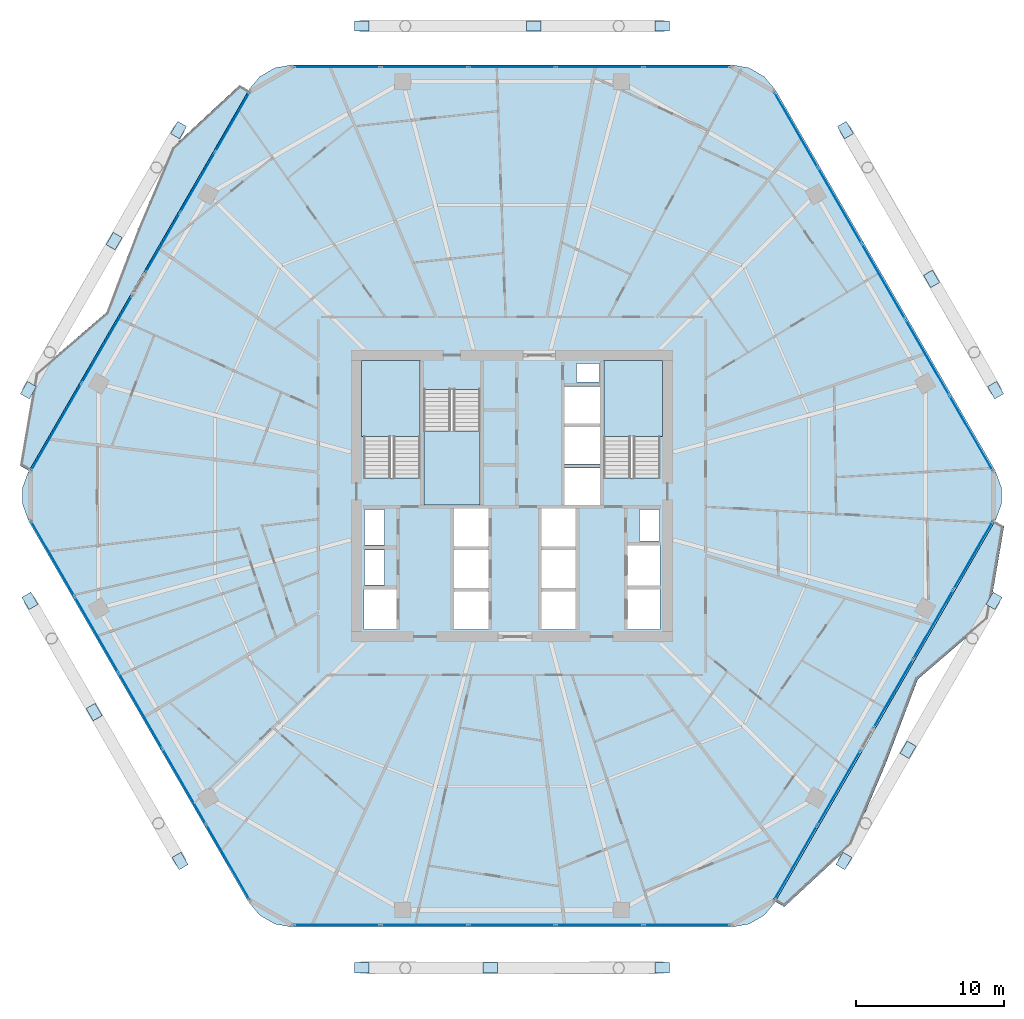
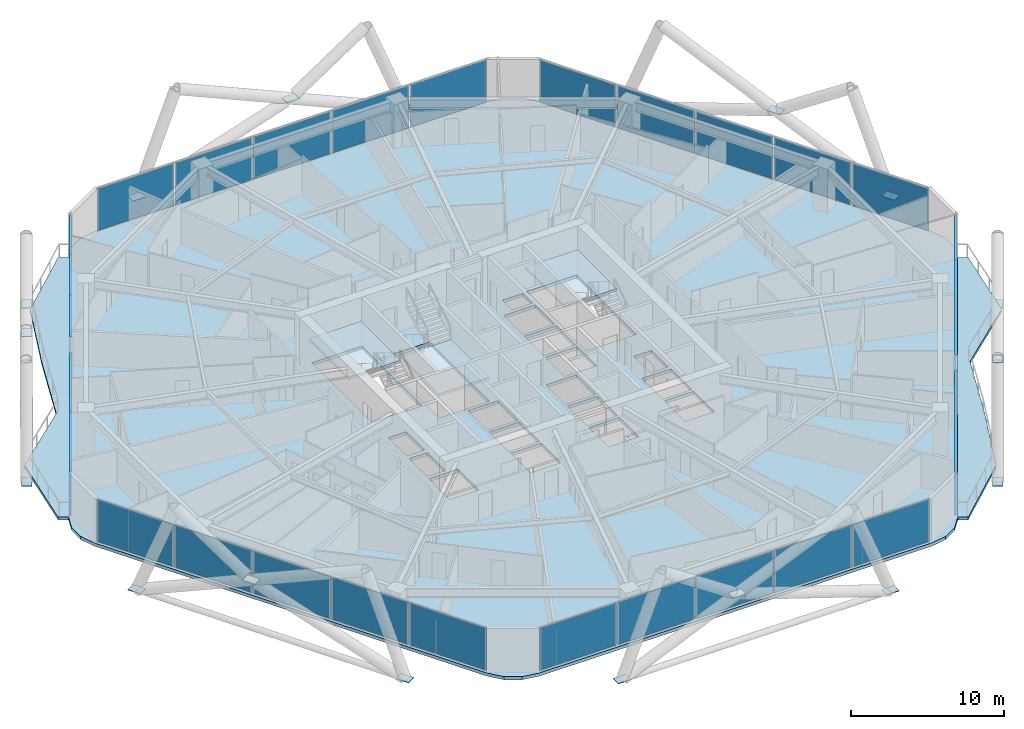
# One storey, part 28 of 36: 48 plates, 6 slabs, 11 elements without a shape of their own.
"""IFC4 building model written with IfcOpenShell, lengths in metres."""

from ifc_helpers import new_model, si_unit, direction, frame, origin, origin_2d, place, context, subcontext, project, spatial, polyline, rectangle, outline, extrude, material, layer, layer_set, type_object, element, aggregate, save


model = new_model("IFC4")

# Units and contexts
model_context = context("Model", 3, precision=1e-05, world=origin(), true_north=direction((0.0, 1.0)))
body_context = subcontext(model_context, "Body", "Model", "MODEL_VIEW")
ifc_project = project(units=[si_unit("LENGTHUNIT", "METRE"), si_unit("AREAUNIT", "SQUARE_METRE"), si_unit("VOLUMEUNIT", "CUBIC_METRE"), si_unit("PLANEANGLEUNIT", "RADIAN"), si_unit("MASSUNIT", "GRAM", prefix="KILO")], contexts=[model_context])

# Site, building, storey
site_placement = place(None, origin())
site = spatial("IfcSite", under=ifc_project, at=site_placement, CompositionType="ELEMENT")
building_placement = place(site_placement, origin())
building = spatial("IfcBuilding", under=site, at=building_placement, Name="Zuhravey Tower", CompositionType="ELEMENT")
storey_placement = place(building_placement, frame((0.0, 0.0, 107.60009765625)))
storey = spatial("IfcBuildingStorey", under=building, at=storey_placement, Name="L26", CompositionType="ELEMENT", Elevation=107.60009765625)

# Plates
ifc_material_1 = material(Name="Steel SM460", Category="steel")
ifc_layer_1 = layer(ifc_material_1, 0.0400390625)
ifc_layer_set_1 = layer_set([ifc_layer_1], Name="Steel SM460")
plate_type_1 = type_object("IfcPlateType", Name="Exoskeleton Zone 1 Node Plate ND1", PredefinedType="SHEET", material=ifc_layer_set_1)
for number, where, z_axis, x_axis, name in (
    (1, (68.641357421875, 39.140380859375, -0.484130859375), (0.0, 0.0, 1.0), (-0.5, 0.866025403784, 0.0), "L26 Exoskeleton Node Gusset L26-01"),
    (2, (58.50439453125, 56.697998046875, -0.484130859375), (0.0, 0.0, 1.0), (-0.5, 0.866025403784, 0.0), "L26 Exoskeleton Node Gusset L26-02"),
    (3, (46.13671875, 63.718505859375, -0.484130859375), (0.0, 0.0, 1.0), (-1.0, 0.0, 0.0), "L26 Exoskeleton Node Gusset L26-03"),
    (4, (25.86328125, 63.718505859375, -0.484130859375), (0.0, 0.0, 1.0), (-1.0, 0.0, 0.0), "L26 Exoskeleton Node Gusset L26-04"),
    (5, (13.49560546875, 56.697998046875, -0.484130859375), (0.0, 0.0, 1.0), (-0.5, -0.866025403784, 0.0), "L26 Exoskeleton Node Gusset L26-05"),
    (6, (3.358642578125, 39.140380859375, -0.484130859375), (0.0, 0.0, 1.0), (-0.5, -0.866025403784, 0.0), "L26 Exoskeleton Node Gusset L26-06"),
    (7, (3.462646484375, 24.91943359375, -0.484130859375), (0.0, 0.0, 1.0), (0.5, -0.866025403784, 0.0), "L26 Exoskeleton Node Gusset L26-07"),
    (8, (13.599365234375, 7.362060546875, -0.484130859375), (0.0, 0.0, 1.0), (0.5, -0.866025403784, 0.0), "L26 Exoskeleton Node Gusset L26-08"),
    (9, (25.86328125, 0.16162109375, -0.484130859375), (0.0, 0.0, 1.0), (1.0, 0.0, 0.0), "L26 Exoskeleton Node Gusset L26-09"),
    (10, (46.13671875, 0.16162109375, -0.484130859375), (0.0, 0.0, 1.0), (1.0, 0.0, 0.0), "L26 Exoskeleton Node Gusset L26-10"),
    (11, (58.400634765625, 7.362060546875, -0.484130859375), (0.0, 0.0, 1.0), (0.5, 0.866025403784, 0.0), "L26 Exoskeleton Node Gusset L26-11"),
    (12, (68.537353515625, 24.91943359375, -0.484130859375), (0.0, 0.0, 1.0), (0.5, 0.866025403784, 0.0), "L26 Exoskeleton Node Gusset L26-12"),
    (13, (64.32177734375, 46.65234375, 3.31591796875), (0.0, 0.0, 1.0), (-0.5, 0.866025403784, 0.0), "L26 Face 1 Diagrid X-Crossing Plate"),
    (14, (37.471435546875, 63.718505859375, 3.31591796875), (0.0, 0.0, 1.0), (-1.0, 0.0, 0.0), "L26 Face 2 Diagrid X-Crossing Plate"),
    (15, (9.14990234375, 49.201171875, 3.31591796875), (0.0, 0.0, 1.0), (-0.5, -0.866025403784, 0.0), "L26 Face 3 Diagrid X-Crossing Plate"),
    (16, (7.79541015625, 17.4150390625, 3.31591796875), (0.0, 0.0, 1.0), (0.5, -0.866025403784, 0.0), "L26 Face 4 Diagrid X-Crossing Plate"),
    (17, (34.528564453125, 0.146484375, 3.31591796875), (0.0, 0.0, 1.0), (1.0, 0.0, 0.0), "L26 Face 5 Diagrid X-Crossing Plate"),
    (18, (62.733154296875, 14.866455078125, 3.31591796875), (0.0, 0.0, 1.0), (0.5, 0.866025403784, 0.0), "L26 Face 6 Diagrid X-Crossing Plate"),
):
    element("IfcPlate", number, at=place(storey_placement, frame(where, z_axis=z_axis, x_axis=x_axis)), inside=storey, type_object=plate_type_1, Name=name, PredefinedType="SHEET", context=body_context, shape_type="SweptSolid", body=[
        extrude(rectangle(XDim=0.9599609375, YDim=0.699951171875, at=origin_2d()), origin(), (0.0, 0.0, 1.0), 0.0400390625),
    ])

# Slabs
ifc_material_2 = material(Name="Concrete C50/60", Category="concrete")
ifc_layer_2 = layer(ifc_material_2, 0.25)
ifc_layer_set_2 = layer_set([ifc_layer_2], Name="Concrete C50/60")
slab_type_1 = type_object("IfcSlabType", Name="Residential Acoustic Slab 250", PredefinedType="FLOOR", material=ifc_layer_set_2)
slab_1_placement = place(storey_placement, frame((0.0, 0.0, -0.25)))
element("IfcSlab", 19, at=slab_1_placement, inside=storey, type_object=slab_type_1, Name="L26 Floor Slab FS25", PredefinedType="FLOOR", context=body_context, shape_type="SweptSolid", body=[
    extrude(outline(polyline([(68.618408203125, 30.300048828125), (69.0224609375, 31.40966796875), (69.0224609375, 32.59033203125), (68.618408203125, 33.699951171875), (53.781494140625, 59.3984375), (53.0224609375, 60.302978515625), (52.0, 60.893310546875), (50.8369140625, 61.098388671875), (21.1630859375, 61.098388671875), (20.0, 60.893310546875), (18.9775390625, 60.302978515625), (18.218505859375, 59.3984375), (3.381591796875, 33.699951171875), (2.9775390625, 32.59033203125), (2.9775390625, 31.40966796875), (3.381591796875, 30.300048828125), (18.218505859375, 4.6015625), (18.9775390625, 3.697021484375), (20.0, 3.106689453125), (21.1630859375, 2.901611328125), (50.8369140625, 2.901611328125), (52.0, 3.106689453125), (53.0224609375, 3.697021484375), (53.781494140625, 4.6015625), (68.618408203125, 30.300048828125)]), holes=[polyline([(29.800048828125, 33.20068359375), (29.800048828125, 41.0), (26.0, 41.0), (26.0, 33.20068359375), (29.800048828125, 33.20068359375)]), polyline([(46.0, 33.20068359375), (46.0, 41.0), (42.199951171875, 41.0), (42.199951171875, 33.20068359375), (46.0, 33.20068359375)]), polyline([(30.050048828125, 39.199462890625), (30.050048828125, 31.39990234375), (33.85009765625, 31.39990234375), (33.85009765625, 39.199462890625), (30.050048828125, 39.199462890625)]), polyline([(32.10009765625, 23.0), (34.39990234375, 23.0), (34.39990234375, 25.550048828125), (32.10009765625, 25.550048828125), (32.10009765625, 23.0)]), polyline([(32.10009765625, 25.800048828125), (34.39990234375, 25.800048828125), (34.39990234375, 28.35009765625), (32.10009765625, 28.35009765625), (32.10009765625, 25.800048828125)]), polyline([(32.10009765625, 28.60009765625), (34.39990234375, 28.60009765625), (34.39990234375, 31.14990234375), (32.10009765625, 31.14990234375), (32.10009765625, 28.60009765625)]), polyline([(38.0, 23.0), (40.300048828125, 23.0), (40.300048828125, 25.550048828125), (38.0, 25.550048828125), (38.0, 23.0)]), polyline([(38.0, 25.800048828125), (40.300048828125, 25.800048828125), (40.300048828125, 28.35009765625), (38.0, 28.35009765625), (38.0, 25.800048828125)]), polyline([(38.0, 28.60009765625), (40.300048828125, 28.60009765625), (40.300048828125, 31.14990234375), (38.0, 31.14990234375), (38.0, 28.60009765625)]), polyline([(39.550048828125, 31.39990234375), (41.949951171875, 31.39990234375), (41.949951171875, 33.89990234375), (39.550048828125, 33.89990234375), (39.550048828125, 31.39990234375)]), polyline([(39.550048828125, 34.14990234375), (41.949951171875, 34.14990234375), (41.949951171875, 36.64990234375), (39.550048828125, 36.64990234375), (39.550048828125, 34.14990234375)]), polyline([(39.550048828125, 36.89990234375), (41.949951171875, 36.89990234375), (41.949951171875, 39.39990234375), (39.550048828125, 39.39990234375), (39.550048828125, 36.89990234375)]), polyline([(26.0, 23.0), (28.199951171875, 23.0), (28.199951171875, 25.699951171875), (26.0, 25.699951171875), (26.0, 23.0)]), polyline([(43.800048828125, 23.0), (46.0, 23.0), (46.0, 25.699951171875), (43.800048828125, 25.699951171875), (43.800048828125, 23.0)]), polyline([(43.800048828125, 25.949951171875), (46.0, 25.949951171875), (46.0, 28.64990234375), (43.800048828125, 28.64990234375), (43.800048828125, 25.949951171875)]), polyline([(26.050048828125, 26.0), (27.39990234375, 26.0), (27.39990234375, 28.35009765625), (26.050048828125, 28.35009765625), (26.050048828125, 26.0)]), polyline([(26.050048828125, 28.699951171875), (27.39990234375, 28.699951171875), (27.39990234375, 31.10009765625), (26.050048828125, 31.10009765625), (26.050048828125, 28.699951171875)]), polyline([(44.60009765625, 28.949951171875), (45.949951171875, 28.949951171875), (45.949951171875, 31.10009765625), (44.60009765625, 31.10009765625), (44.60009765625, 28.949951171875)]), polyline([(40.35009765625, 39.699951171875), (41.89990234375, 39.699951171875), (41.89990234375, 40.949951171875), (40.35009765625, 40.949951171875), (40.35009765625, 39.699951171875)])]), origin(), (0.0, 0.0, 1.0), 0.25),
])
ifc_material_3 = material(Name="Concrete C40/50", Category="concrete")
ifc_layer_3 = layer(ifc_material_3, 0.219970703125)
ifc_layer_set_3 = layer_set([ifc_layer_3], Name="Concrete C40/50")
slab_type_2 = type_object("IfcSlabType", Name="Sinusoidal Residential Wave Balcony 220", PredefinedType="FLOOR", material=ifc_layer_set_3)
slab_2_placement = place(storey_placement, frame((0.0, 0.0, -0.22021484375)))
element("IfcSlab", 20, at=slab_2_placement, inside=storey, type_object=slab_type_2, Name="L26 Face 3 Wave Balcony WB22", PredefinedType="FLOOR", context=body_context, shape_type="SweptSolid", body=[
    extrude(outline(polyline([(18.227294921875, 59.383544921875), (3.398681640625, 33.699951171875), (2.79248046875, 34.050048828125), (3.85888671875, 40.283203125), (8.619140625, 44.3837890625), (10.751220703125, 50.001953125), (13.069091796875, 55.5126953125), (17.62109375, 59.7333984375), (18.227294921875, 59.383544921875)])), origin(), (0.0, 0.0, 1.0), 0.22021484375),
])
slab_3_placement = place(storey_placement, frame((0.0, 0.0, -0.22021484375)))
element("IfcSlab", 21, at=slab_3_placement, inside=storey, type_object=slab_type_2, Name="L26 Face 6 Wave Balcony WB22", PredefinedType="FLOOR", context=body_context, shape_type="SweptSolid", body=[
    extrude(outline(polyline([(53.772705078125, 4.616455078125), (68.601318359375, 30.300048828125), (69.20751953125, 29.949951171875), (68.14111328125, 23.716796875), (63.380859375, 19.6162109375), (61.248779296875, 13.998046875), (58.930908203125, 8.4873046875), (54.37890625, 4.2666015625), (53.772705078125, 4.616455078125)])), origin(), (0.0, 0.0, 1.0), 0.22021484375),
])

# Stair, slab
stair_type = type_object("IfcStairType", Name="Housing Storey Stair Assembly 3800", PredefinedType="HALF_TURN_STAIR", material=ifc_material_3)
stair_1_placement = place(storey_placement, origin())
stair_1 = element("IfcStair", 22, at=stair_1_placement, inside=storey, type_object=stair_type, Name="L26 Core Exit Stair ST1", PredefinedType="HALF_TURN_STAIR")
ifc_layer_4 = layer(ifc_material_3, 0.199951171875)
ifc_layer_set_4 = layer_set([ifc_layer_4], Name="Concrete C40/50")
slab_type_3 = type_object("IfcSlabType", Name="Stair Landing Slab 200", PredefinedType="LANDING", material=ifc_layer_set_4)
slab_4_placement = place(storey_placement, frame((0.0, 0.0, 1.699951171875)))
slab_4 = element("IfcSlab", 23, at=slab_4_placement, type_object=slab_type_3, Name="ST1 landing 1", PredefinedType="LANDING", context=body_context, shape_type="SweptSolid", body=[
    extrude(outline(polyline([(29.800048828125, 36.0), (29.800048828125, 41.14794921875), (25.85205078125, 41.14794921875), (25.85205078125, 36.0), (29.800048828125, 36.0)])), origin(), (0.0, 0.0, 1.0), 0.199951171875),
])
aggregate(stair_1, [slab_4])

stair_2_placement = place(storey_placement, origin())
stair_2 = element("IfcStair", 24, at=stair_2_placement, inside=storey, type_object=stair_type, Name="L26 Core Exit Stair ST2", PredefinedType="HALF_TURN_STAIR")
slab_5_placement = place(storey_placement, frame((0.0, 0.0, 1.699951171875)))
slab_5 = element("IfcSlab", 25, at=slab_5_placement, type_object=slab_type_3, Name="ST2 landing 1", PredefinedType="LANDING", context=body_context, shape_type="SweptSolid", body=[
    extrude(outline(polyline([(46.14794921875, 36.0), (46.14794921875, 41.14794921875), (42.199951171875, 41.14794921875), (42.199951171875, 36.0), (46.14794921875, 36.0)])), origin(), (0.0, 0.0, 1.0), 0.199951171875),
])
aggregate(stair_2, [slab_5])

stair_3_placement = place(storey_placement, origin())
stair_3 = element("IfcStair", 26, at=stair_3_placement, inside=storey, type_object=stair_type, Name="L26 Core Exit Stair ST3", PredefinedType="HALF_TURN_STAIR")
slab_6_placement = place(storey_placement, frame((0.0, 0.0, 1.699951171875)))
slab_6 = element("IfcSlab", 27, at=slab_6_placement, type_object=slab_type_3, Name="ST3 landing 1", PredefinedType="LANDING", context=body_context, shape_type="SweptSolid", body=[
    extrude(outline(polyline([(30.050048828125, 36.39990234375), (30.050048828125, 31.39990234375), (33.85009765625, 31.39990234375), (33.85009765625, 36.39990234375), (30.050048828125, 36.39990234375)])), origin(), (0.0, 0.0, 1.0), 0.199951171875),
])
aggregate(stair_3, [slab_6])

# Curtain wall, plates
ifc_material_4 = material(Name="Thermally broken anodised aluminium", Category="aluminium")
curtain_wall_type = type_object("IfcCurtainWallType", Name="Zone 1-2 Residential Curtain Wall CW3", PredefinedType="NOTDEFINED", material=ifc_material_4)
curtain_wall_1_placement = place(storey_placement, origin())
curtain_wall_1 = element("IfcCurtainWall", 28, at=curtain_wall_1_placement, inside=storey, type_object=curtain_wall_type, Name="L26 CW3 CW-L26-F6-1", PredefinedType="NOTDEFINED")
ifc_material_5 = material(Name="Triple low-E insulated vision glass", Category="glass")
ifc_layer_5 = layer(ifc_material_5, 0.0419921875)
ifc_layer_set_5 = layer_set([ifc_layer_5], Name="Triple low-E insulated vision glass")
plate_type_2 = type_object("IfcPlateType", Name="Triple Low-E Vision Panel", PredefinedType="CURTAIN_PANEL", material=ifc_layer_set_5)
plate_1_placement = place(storey_placement, frame((67.117919921875, 27.980712890625, 0.08984375), z_axis=(0.0, 0.0, 1.0), x_axis=(-0.499998121356, -0.866026488417, 0.0)))
plate_1 = element("IfcPlate", 29, at=plate_1_placement, type_object=plate_type_2, Name="CW3 panel 1.1", PredefinedType="CURTAIN_PANEL", context=body_context, shape_type="SweptSolid", body=[
    extrude(rectangle(XDim=5.262451171875, YDim=0.0419921875, at=origin_2d()), origin(), (0.0, 0.0, 1.0), 3.3701171875),
])
plate_2_placement = place(storey_placement, frame((64.430419921875, 23.325927734375, 0.08984375), z_axis=(0.0, 0.0, 1.0), x_axis=(-0.499998121356, -0.866026488417, 0.0)))
plate_2 = element("IfcPlate", 30, at=plate_2_placement, type_object=plate_type_2, Name="CW3 panel 2.1", PredefinedType="CURTAIN_PANEL", context=body_context, shape_type="SweptSolid", body=[
    extrude(rectangle(XDim=5.307373046875, YDim=0.0419921875, at=origin_2d()), origin(), (0.0, 0.0, 1.0), 3.3701171875),
])
plate_3_placement = place(storey_placement, frame((61.742919921875, 18.671142578125, 0.08984375), z_axis=(0.0, 0.0, 1.0), x_axis=(-0.499998121356, -0.866026488417, 0.0)))
plate_3 = element("IfcPlate", 31, at=plate_3_placement, type_object=plate_type_2, Name="CW3 panel 3.1", PredefinedType="CURTAIN_PANEL", context=body_context, shape_type="SweptSolid", body=[
    extrude(rectangle(XDim=5.262451171875, YDim=0.0419921875, at=origin_2d()), origin(), (0.0, 0.0, 1.0), 3.3701171875),
])
aggregate(curtain_wall_1, [plate_1, plate_2, plate_3])

curtain_wall_2_placement = place(storey_placement, origin())
curtain_wall_2 = element("IfcCurtainWall", 32, at=curtain_wall_2_placement, inside=storey, type_object=curtain_wall_type, Name="L26 CW3 CW-L26-F6-2", PredefinedType="NOTDEFINED")
plate_4_placement = place(storey_placement, frame((58.0576171875, 12.2880859375, 0.08984375), z_axis=(0.0, 0.0, 1.0), x_axis=(-0.500004179456, -0.866022990761, 0.0)))
plate_4 = element("IfcPlate", 33, at=plate_4_placement, type_object=plate_type_2, Name="CW3 panel 1.1", PredefinedType="CURTAIN_PANEL", context=body_context, shape_type="SweptSolid", body=[
    extrude(rectangle(XDim=5.71826171875, YDim=0.0419921875, at=origin_2d()), origin(), (0.0, 0.0, 1.0), 3.3701171875),
])
plate_5_placement = place(storey_placement, frame((55.153564453125, 7.258056640625, 0.08984375), z_axis=(0.0, 0.0, 1.0), x_axis=(-0.500004179456, -0.866022990761, 0.0)))
plate_5 = element("IfcPlate", 34, at=plate_5_placement, type_object=plate_type_2, Name="CW3 panel 2.1", PredefinedType="CURTAIN_PANEL", context=body_context, shape_type="SweptSolid", body=[
    extrude(rectangle(XDim=5.71826171875, YDim=0.0419921875, at=origin_2d()), origin(), (0.0, 0.0, 1.0), 3.3701171875),
])
aggregate(curtain_wall_2, [plate_4, plate_5])

curtain_wall_3_placement = place(storey_placement, origin())
curtain_wall_3 = element("IfcCurtainWall", 35, at=curtain_wall_3_placement, inside=storey, type_object=curtain_wall_type, Name="L26 CW3 CW-L26-F5-1", PredefinedType="NOTDEFINED")
plate_6_placement = place(storey_placement, frame((47.817138671875, 3.04150390625, 0.08984375), z_axis=(0.0, 0.0, 1.0), x_axis=(-1.0, 0.0, 0.0)))
plate_6 = element("IfcPlate", 36, at=plate_6_placement, type_object=plate_type_2, Name="CW3 panel 1.1", PredefinedType="CURTAIN_PANEL", context=body_context, shape_type="SweptSolid", body=[
    extrude(rectangle(XDim=5.784912109375, YDim=0.0419921875, at=origin_2d()), origin(), (0.0, 0.0, 1.0), 3.3701171875),
])
plate_7_placement = place(storey_placement, frame((41.919921875, 3.04150390625, 0.08984375), z_axis=(0.0, 0.0, 1.0), x_axis=(-1.0, 0.0, 0.0)))
plate_7 = element("IfcPlate", 37, at=plate_7_placement, type_object=plate_type_2, Name="CW3 panel 2.1", PredefinedType="CURTAIN_PANEL", context=body_context, shape_type="SweptSolid", body=[
    extrude(rectangle(XDim=5.829833984375, YDim=0.0419921875, at=origin_2d()), origin(), (0.0, 0.0, 1.0), 3.3701171875),
])
plate_8_placement = place(storey_placement, frame((36.0, 3.04150390625, 0.08984375), z_axis=(0.0, 0.0, 1.0), x_axis=(-1.0, 0.0, 0.0)))
plate_8 = element("IfcPlate", 38, at=plate_8_placement, type_object=plate_type_2, Name="CW3 panel 3.1", PredefinedType="CURTAIN_PANEL", context=body_context, shape_type="SweptSolid", body=[
    extrude(rectangle(XDim=5.829833984375, YDim=0.0419921875, at=origin_2d()), origin(), (0.0, 0.0, 1.0), 3.3701171875),
])
plate_9_placement = place(storey_placement, frame((30.080078125, 3.04150390625, 0.08984375), z_axis=(0.0, 0.0, 1.0), x_axis=(-1.0, 0.0, 0.0)))
plate_9 = element("IfcPlate", 39, at=plate_9_placement, type_object=plate_type_2, Name="CW3 panel 4.1", PredefinedType="CURTAIN_PANEL", context=body_context, shape_type="SweptSolid", body=[
    extrude(rectangle(XDim=5.829833984375, YDim=0.0419921875, at=origin_2d()), origin(), (0.0, 0.0, 1.0), 3.3701171875),
])
plate_10_placement = place(storey_placement, frame((24.182861328125, 3.04150390625, 0.08984375), z_axis=(0.0, 0.0, 1.0), x_axis=(-1.0, 0.0, 0.0)))
plate_10 = element("IfcPlate", 40, at=plate_10_placement, type_object=plate_type_2, Name="CW3 panel 5.1", PredefinedType="CURTAIN_PANEL", context=body_context, shape_type="SweptSolid", body=[
    extrude(rectangle(XDim=5.784912109375, YDim=0.0419921875, at=origin_2d()), origin(), (0.0, 0.0, 1.0), 3.3701171875),
])
aggregate(curtain_wall_3, [plate_6, plate_7, plate_8, plate_9, plate_10])

curtain_wall_4_placement = place(storey_placement, origin())
curtain_wall_4 = element("IfcCurtainWall", 41, at=curtain_wall_4_placement, inside=storey, type_object=curtain_wall_type, Name="L26 CW3 CW-L26-F4-1", PredefinedType="NOTDEFINED")
plate_11_placement = place(storey_placement, frame((16.829833984375, 7.286865234375, 0.08984375), z_axis=(0.0, 0.0, 1.0), x_axis=(-0.499999794119, 0.86602552265, 0.0)))
plate_11 = element("IfcPlate", 42, at=plate_11_placement, type_object=plate_type_2, Name="CW3 panel 1.1", PredefinedType="CURTAIN_PANEL", context=body_context, shape_type="SweptSolid", body=[
    extrude(rectangle(XDim=5.784912109375, YDim=0.0419921875, at=origin_2d()), origin(), (0.0, 0.0, 1.0), 3.3701171875),
])
plate_12_placement = place(storey_placement, frame((13.881103515625, 12.39404296875, 0.08984375), z_axis=(0.0, 0.0, 1.0), x_axis=(-0.499999794119, 0.86602552265, 0.0)))
plate_12 = element("IfcPlate", 43, at=plate_12_placement, type_object=plate_type_2, Name="CW3 panel 2.1", PredefinedType="CURTAIN_PANEL", context=body_context, shape_type="SweptSolid", body=[
    extrude(rectangle(XDim=5.829833984375, YDim=0.0419921875, at=origin_2d()), origin(), (0.0, 0.0, 1.0), 3.3701171875),
])
plate_13_placement = place(storey_placement, frame((10.921142578125, 17.520751953125, 0.08984375), z_axis=(0.0, 0.0, 1.0), x_axis=(-0.499999794119, 0.86602552265, 0.0)))
plate_13 = element("IfcPlate", 44, at=plate_13_placement, type_object=plate_type_2, Name="CW3 panel 3.1", PredefinedType="CURTAIN_PANEL", context=body_context, shape_type="SweptSolid", body=[
    extrude(rectangle(XDim=5.829833984375, YDim=0.0419921875, at=origin_2d()), origin(), (0.0, 0.0, 1.0), 3.3701171875),
])
plate_14_placement = place(storey_placement, frame((7.96142578125, 22.6474609375, 0.08984375), z_axis=(0.0, 0.0, 1.0), x_axis=(-0.499999794119, 0.86602552265, 0.0)))
plate_14 = element("IfcPlate", 45, at=plate_14_placement, type_object=plate_type_2, Name="CW3 panel 4.1", PredefinedType="CURTAIN_PANEL", context=body_context, shape_type="SweptSolid", body=[
    extrude(rectangle(XDim=5.829833984375, YDim=0.0419921875, at=origin_2d()), origin(), (0.0, 0.0, 1.0), 3.3701171875),
])
plate_15_placement = place(storey_placement, frame((5.0126953125, 27.754638671875, 0.08984375), z_axis=(0.0, 0.0, 1.0), x_axis=(-0.499999794119, 0.86602552265, 0.0)))
plate_15 = element("IfcPlate", 46, at=plate_15_placement, type_object=plate_type_2, Name="CW3 panel 5.1", PredefinedType="CURTAIN_PANEL", context=body_context, shape_type="SweptSolid", body=[
    extrude(rectangle(XDim=5.784912109375, YDim=0.0419921875, at=origin_2d()), origin(), (0.0, 0.0, 1.0), 3.3701171875),
])
aggregate(curtain_wall_4, [plate_11, plate_12, plate_13, plate_14, plate_15])

curtain_wall_5_placement = place(storey_placement, origin())
curtain_wall_5 = element("IfcCurtainWall", 47, at=curtain_wall_5_placement, inside=storey, type_object=curtain_wall_type, Name="L26 CW3 CW-L26-F3-1", PredefinedType="NOTDEFINED")
plate_16_placement = place(storey_placement, frame((5.249755859375, 36.656005859375, 0.08984375), z_axis=(0.0, 0.0, 1.0), x_axis=(0.499998478675, 0.86602628212, 0.0)))
plate_16 = element("IfcPlate", 48, at=plate_16_placement, type_object=plate_type_2, Name="CW3 panel 1.1", PredefinedType="CURTAIN_PANEL", context=body_context, shape_type="SweptSolid", body=[
    extrude(rectangle(XDim=6.73291015625, YDim=0.0419921875, at=origin_2d()), origin(), (0.0, 0.0, 1.0), 3.3701171875),
])
plate_17_placement = place(storey_placement, frame((8.6611328125, 42.564697265625, 0.08984375), z_axis=(0.0, 0.0, 1.0), x_axis=(0.499998478675, 0.86602628212, 0.0)))
plate_17 = element("IfcPlate", 49, at=plate_17_placement, type_object=plate_type_2, Name="CW3 panel 2.1", PredefinedType="CURTAIN_PANEL", context=body_context, shape_type="SweptSolid", body=[
    extrude(rectangle(XDim=6.73291015625, YDim=0.0419921875, at=origin_2d()), origin(), (0.0, 0.0, 1.0), 3.3701171875),
])
aggregate(curtain_wall_5, [plate_16, plate_17])

curtain_wall_6_placement = place(storey_placement, origin())
curtain_wall_6 = element("IfcCurtainWall", 50, at=curtain_wall_6_placement, inside=storey, type_object=curtain_wall_type, Name="L26 CW3 CW-L26-F3-2", PredefinedType="NOTDEFINED")
plate_18_placement = place(storey_placement, frame((12.430908203125, 49.09423828125, 0.08984375), z_axis=(0.0, 0.0, 1.0), x_axis=(0.500002782124, 0.866023797519, 0.0)))
plate_18 = element("IfcPlate", 51, at=plate_18_placement, type_object=plate_type_2, Name="CW3 panel 1.1", PredefinedType="CURTAIN_PANEL", context=body_context, shape_type="SweptSolid", body=[
    extrude(rectangle(XDim=4.5859375, YDim=0.0419921875, at=origin_2d()), origin(), (0.0, 0.0, 1.0), 3.3701171875),
])
plate_19_placement = place(storey_placement, frame((14.7802734375, 53.1630859375, 0.08984375), z_axis=(0.0, 0.0, 1.0), x_axis=(0.500002782124, 0.866023797519, 0.0)))
plate_19 = element("IfcPlate", 52, at=plate_19_placement, type_object=plate_type_2, Name="CW3 panel 2.1", PredefinedType="CURTAIN_PANEL", context=body_context, shape_type="SweptSolid", body=[
    extrude(rectangle(XDim=4.631103515625, YDim=0.0419921875, at=origin_2d()), origin(), (0.0, 0.0, 1.0), 3.3701171875),
])
plate_20_placement = place(storey_placement, frame((17.12939453125, 57.232177734375, 0.08984375), z_axis=(0.0, 0.0, 1.0), x_axis=(0.500002782124, 0.866023797519, 0.0)))
plate_20 = element("IfcPlate", 53, at=plate_20_placement, type_object=plate_type_2, Name="CW3 panel 3.1", PredefinedType="CURTAIN_PANEL", context=body_context, shape_type="SweptSolid", body=[
    extrude(rectangle(XDim=4.5859375, YDim=0.0419921875, at=origin_2d()), origin(), (0.0, 0.0, 1.0), 3.3701171875),
])
aggregate(curtain_wall_6, [plate_18, plate_19, plate_20])

curtain_wall_7_placement = place(storey_placement, origin())
curtain_wall_7 = element("IfcCurtainWall", 54, at=curtain_wall_7_placement, inside=storey, type_object=curtain_wall_type, Name="L26 CW3 CW-L26-F2-1", PredefinedType="NOTDEFINED")
plate_21_placement = place(storey_placement, frame((24.182861328125, 60.95849609375, 0.08984375), z_axis=(0.0, 0.0, 1.0), x_axis=(1.0, 0.0, 0.0)))
plate_21 = element("IfcPlate", 55, at=plate_21_placement, type_object=plate_type_2, Name="CW3 panel 1.1", PredefinedType="CURTAIN_PANEL", context=body_context, shape_type="SweptSolid", body=[
    extrude(rectangle(XDim=5.784912109375, YDim=0.0419921875, at=origin_2d()), origin(), (0.0, 0.0, 1.0), 3.3701171875),
])
plate_22_placement = place(storey_placement, frame((30.080078125, 60.95849609375, 0.08984375), z_axis=(0.0, 0.0, 1.0), x_axis=(1.0, 0.0, 0.0)))
plate_22 = element("IfcPlate", 56, at=plate_22_placement, type_object=plate_type_2, Name="CW3 panel 2.1", PredefinedType="CURTAIN_PANEL", context=body_context, shape_type="SweptSolid", body=[
    extrude(rectangle(XDim=5.829833984375, YDim=0.0419921875, at=origin_2d()), origin(), (0.0, 0.0, 1.0), 3.3701171875),
])
plate_23_placement = place(storey_placement, frame((36.0, 60.95849609375, 0.08984375), z_axis=(0.0, 0.0, 1.0), x_axis=(1.0, 0.0, 0.0)))
plate_23 = element("IfcPlate", 57, at=plate_23_placement, type_object=plate_type_2, Name="CW3 panel 3.1", PredefinedType="CURTAIN_PANEL", context=body_context, shape_type="SweptSolid", body=[
    extrude(rectangle(XDim=5.829833984375, YDim=0.0419921875, at=origin_2d()), origin(), (0.0, 0.0, 1.0), 3.3701171875),
])
plate_24_placement = place(storey_placement, frame((41.919921875, 60.95849609375, 0.08984375), z_axis=(0.0, 0.0, 1.0), x_axis=(1.0, 0.0, 0.0)))
plate_24 = element("IfcPlate", 58, at=plate_24_placement, type_object=plate_type_2, Name="CW3 panel 4.1", PredefinedType="CURTAIN_PANEL", context=body_context, shape_type="SweptSolid", body=[
    extrude(rectangle(XDim=5.829833984375, YDim=0.0419921875, at=origin_2d()), origin(), (0.0, 0.0, 1.0), 3.3701171875),
])
plate_25_placement = place(storey_placement, frame((47.817138671875, 60.95849609375, 0.08984375), z_axis=(0.0, 0.0, 1.0), x_axis=(1.0, 0.0, 0.0)))
plate_25 = element("IfcPlate", 59, at=plate_25_placement, type_object=plate_type_2, Name="CW3 panel 5.1", PredefinedType="CURTAIN_PANEL", context=body_context, shape_type="SweptSolid", body=[
    extrude(rectangle(XDim=5.784912109375, YDim=0.0419921875, at=origin_2d()), origin(), (0.0, 0.0, 1.0), 3.3701171875),
])
aggregate(curtain_wall_7, [plate_21, plate_22, plate_23, plate_24, plate_25])

curtain_wall_8_placement = place(storey_placement, origin())
curtain_wall_8 = element("IfcCurtainWall", 60, at=curtain_wall_8_placement, inside=storey, type_object=curtain_wall_type, Name="L26 CW3 CW-L26-F1-1", PredefinedType="NOTDEFINED")
plate_26_placement = place(storey_placement, frame((55.170166015625, 56.713134765625, 0.08984375), z_axis=(0.0, 0.0, 1.0), x_axis=(0.499999794119, -0.86602552265, 0.0)))
plate_26 = element("IfcPlate", 61, at=plate_26_placement, type_object=plate_type_2, Name="CW3 panel 1.1", PredefinedType="CURTAIN_PANEL", context=body_context, shape_type="SweptSolid", body=[
    extrude(rectangle(XDim=5.784912109375, YDim=0.0419921875, at=origin_2d()), origin(), (0.0, 0.0, 1.0), 3.3701171875),
])
plate_27_placement = place(storey_placement, frame((58.118896484375, 51.60595703125, 0.08984375), z_axis=(0.0, 0.0, 1.0), x_axis=(0.499999794119, -0.86602552265, 0.0)))
plate_27 = element("IfcPlate", 62, at=plate_27_placement, type_object=plate_type_2, Name="CW3 panel 2.1", PredefinedType="CURTAIN_PANEL", context=body_context, shape_type="SweptSolid", body=[
    extrude(rectangle(XDim=5.829833984375, YDim=0.0419921875, at=origin_2d()), origin(), (0.0, 0.0, 1.0), 3.3701171875),
])
plate_28_placement = place(storey_placement, frame((61.078857421875, 46.479248046875, 0.08984375), z_axis=(0.0, 0.0, 1.0), x_axis=(0.499999794119, -0.86602552265, 0.0)))
plate_28 = element("IfcPlate", 63, at=plate_28_placement, type_object=plate_type_2, Name="CW3 panel 3.1", PredefinedType="CURTAIN_PANEL", context=body_context, shape_type="SweptSolid", body=[
    extrude(rectangle(XDim=5.829833984375, YDim=0.0419921875, at=origin_2d()), origin(), (0.0, 0.0, 1.0), 3.3701171875),
])
plate_29_placement = place(storey_placement, frame((64.03857421875, 41.3525390625, 0.08984375), z_axis=(0.0, 0.0, 1.0), x_axis=(0.499999794119, -0.86602552265, 0.0)))
plate_29 = element("IfcPlate", 64, at=plate_29_placement, type_object=plate_type_2, Name="CW3 panel 4.1", PredefinedType="CURTAIN_PANEL", context=body_context, shape_type="SweptSolid", body=[
    extrude(rectangle(XDim=5.829833984375, YDim=0.0419921875, at=origin_2d()), origin(), (0.0, 0.0, 1.0), 3.3701171875),
])
plate_30_placement = place(storey_placement, frame((66.9873046875, 36.245361328125, 0.08984375), z_axis=(0.0, 0.0, 1.0), x_axis=(0.499999794119, -0.86602552265, 0.0)))
plate_30 = element("IfcPlate", 65, at=plate_30_placement, type_object=plate_type_2, Name="CW3 panel 5.1", PredefinedType="CURTAIN_PANEL", context=body_context, shape_type="SweptSolid", body=[
    extrude(rectangle(XDim=5.784912109375, YDim=0.0419921875, at=origin_2d()), origin(), (0.0, 0.0, 1.0), 3.3701171875),
])
aggregate(curtain_wall_8, [plate_26, plate_27, plate_28, plate_29, plate_30])

save(model, "model.ifc")
